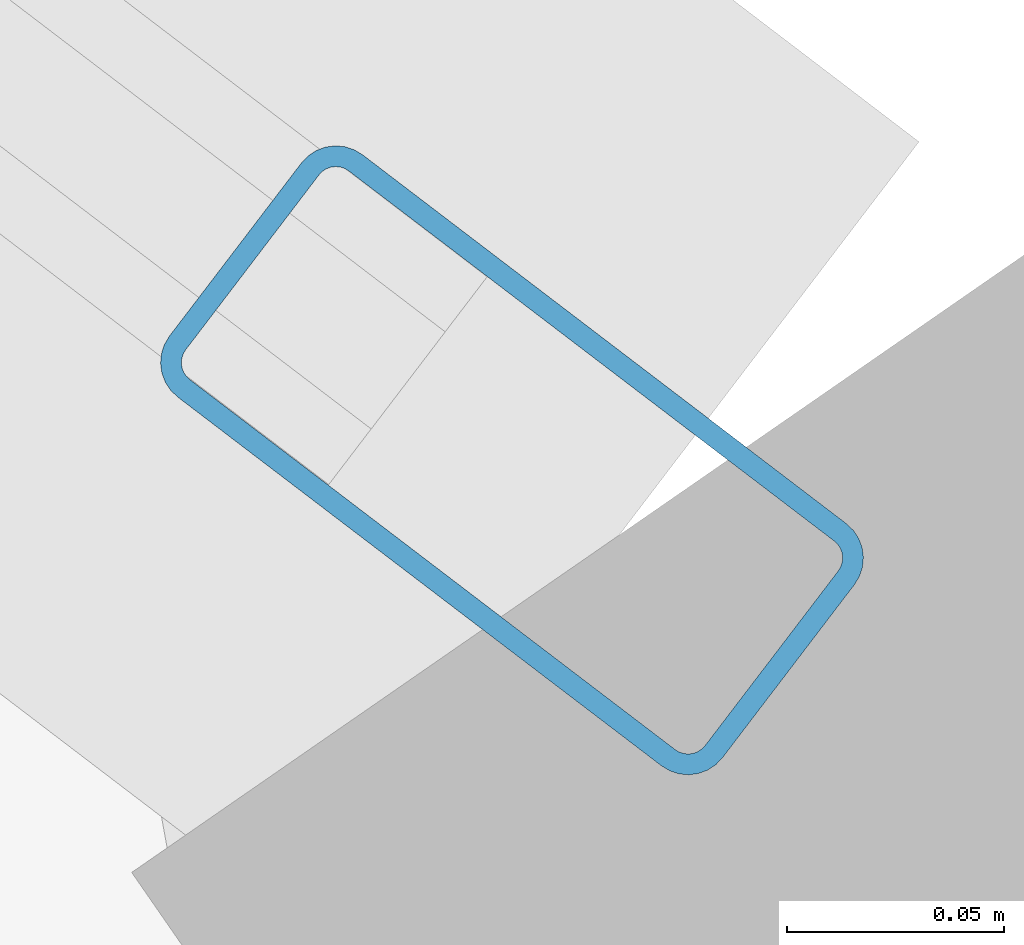
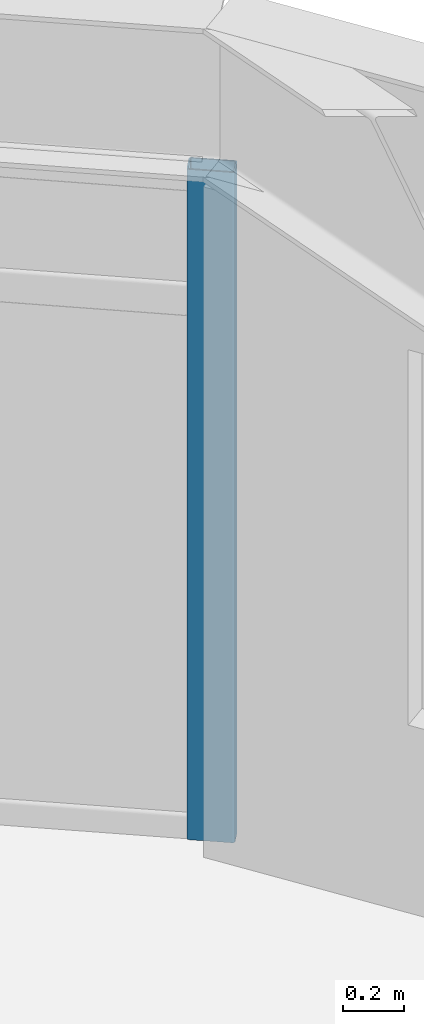
# One storey, part 14 of 22: 1 member, 1 element without a shape of its own.
"""IFC4 building model written with IfcOpenShell, lengths in metres."""

from ifc_helpers import new_model, si_unit, direction, frame, origin, origin_2d, place, context, subcontext, project, spatial, hollow_rectangle, extrude, material, layer, layer_set, material_profile, profile_set, type_object, element, aggregate, save


model = new_model("IFC4")

# Units and contexts
model_context = context("Model", 3, precision=1e-05, world=origin(), true_north=direction((0.0, 1.0)))
body_context = subcontext(model_context, "Body", "Model", "MODEL_VIEW")
ifc_project = project(units=[si_unit("LENGTHUNIT", "METRE"), si_unit("AREAUNIT", "SQUARE_METRE"), si_unit("VOLUMEUNIT", "CUBIC_METRE"), si_unit("PLANEANGLEUNIT", "RADIAN"), si_unit("MASSUNIT", "GRAM", prefix="KILO")], contexts=[model_context])

# Site, building, storey
site_placement = place(None, origin())
site = spatial("IfcSite", under=ifc_project, at=site_placement, CompositionType="ELEMENT")
building_placement = place(site_placement, origin())
building = spatial("IfcBuilding", under=site, at=building_placement, Name="Soratama Intermodal Tower", CompositionType="ELEMENT")
storey_placement = place(building_placement, frame((0.0, 0.0, 160.60009765625)))
storey = spatial("IfcBuildingStorey", under=building, at=storey_placement, Name="L39", CompositionType="ELEMENT", Elevation=160.60009765625)

# Curtain wall, member
ifc_material_1 = material(Name="Double-glazed aluminium curtain wall", Category="aluminium")
ifc_layer = layer(ifc_material_1, 0.159912109375)
ifc_layer_set = layer_set([ifc_layer], Name="Double-glazed aluminium curtain wall")
curtain_wall_type = type_object("IfcCurtainWallType", Name="CW-SYS-4", PredefinedType="NOTDEFINED", material=ifc_layer_set)
curtain_wall_placement = place(storey_placement, origin())
curtain_wall = element("IfcCurtainWall", 1, at=curtain_wall_placement, inside=storey, type_object=curtain_wall_type, Name="L39 Faceted Curtain Wall F01", PredefinedType="NOTDEFINED")
ifc_material_2 = material(Name="Anodised aluminium AA 6063-T6", Category="aluminium")
ifc_material_profile = material_profile(ifc_material_2, hollow_rectangle(XDim=0.070068359375, YDim=0.159912109375, WallThickness=0.0048828125, InnerFilletRadius=0.0048828125, OuterFilletRadius=0.010009765625, at=origin_2d()), Name="CWM160X70X5")
ifc_profile_set = profile_set([ifc_material_profile], Name="Anodised aluminium AA 6063-T6")
member_type = type_object("IfcMemberType", Name="MT-CWM-4", PredefinedType="MULLION", material=ifc_profile_set)
member_placement = place(storey_placement, frame((59.35791015625, 36.772705078125, 0.0), z_axis=(0.0, 0.0, 1.0), x_axis=(-0.606268942979, -0.795259686379, 0.0)))
member = element("IfcMember", 2, at=member_placement, type_object=member_type, Name="CW-4 mullion 1", PredefinedType="MULLION", context=body_context, shape_type="SweptSolid", body=[
    extrude(hollow_rectangle(XDim=0.070068359375, YDim=0.159912109375, WallThickness=0.0048828125, InnerFilletRadius=0.0048828125, OuterFilletRadius=0.010009765625, at=origin_2d()), origin(), (0.0, 0.0, 1.0), 2.678955078125),
])
aggregate(curtain_wall, [member])

save(model, "model.ifc")
